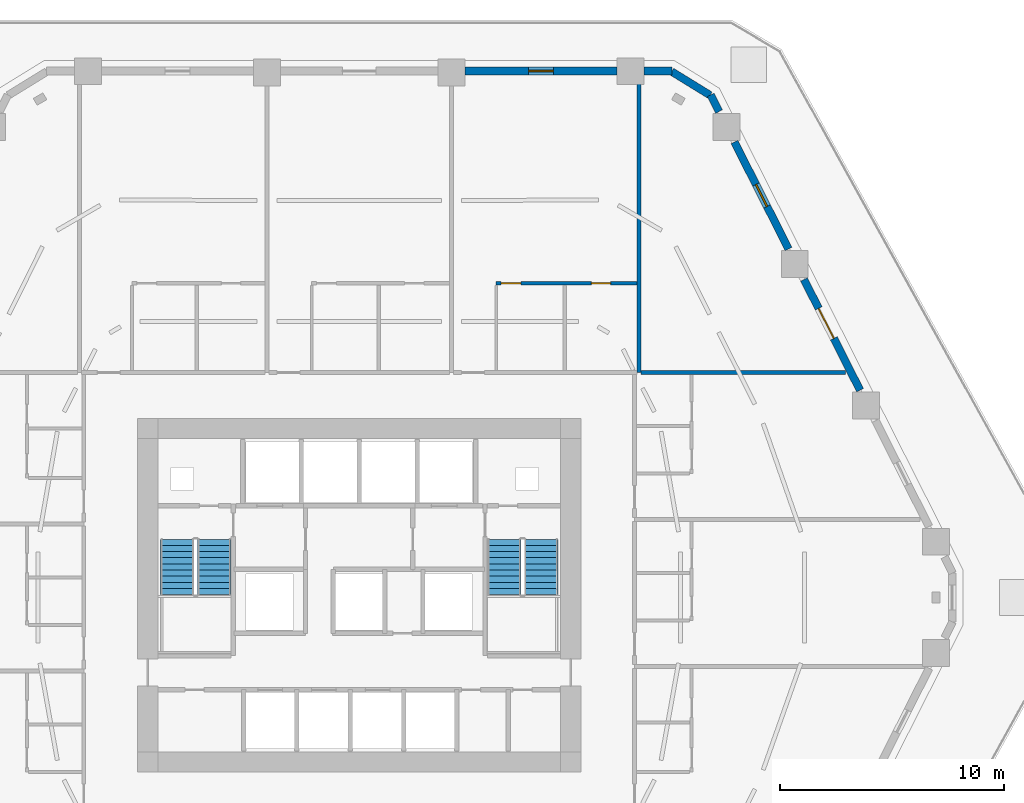
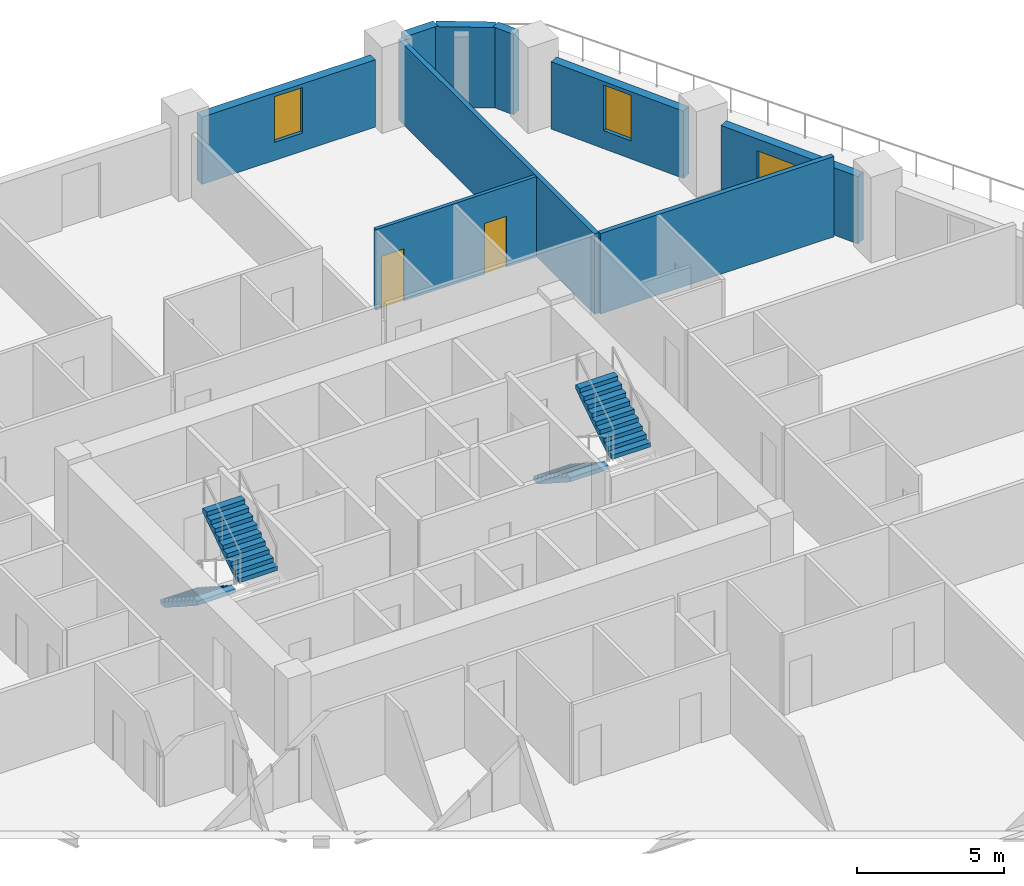
# One storey, part 7 of 10: 9 walls, 4 stair flights, 3 doors, 2 windows, 5 openings, 2 elements without a shape of their own.
"""IFC4 building model written with IfcOpenShell, lengths in metres."""

from ifc_helpers import new_model, si_unit, direction, frame, frame_2d, origin, place, context, subcontext, project, spatial, polyline, rectangle, outline, extrude, material, layer, layer_set, type_object, element, fill, aggregate, save


model = new_model("IFC4")

# Units and contexts
model_context = context("Model", 3, precision=1e-05, world=origin(), true_north=direction((0.0, 1.0)))
body_context = subcontext(model_context, "Body", "Model", "MODEL_VIEW")
ifc_project = project(units=[si_unit("LENGTHUNIT", "METRE"), si_unit("AREAUNIT", "SQUARE_METRE"), si_unit("VOLUMEUNIT", "CUBIC_METRE"), si_unit("PLANEANGLEUNIT", "RADIAN"), si_unit("MASSUNIT", "GRAM", prefix="KILO")], contexts=[model_context])

# Site, building, storey
site_placement = place(None, origin())
site = spatial("IfcSite", under=ifc_project, at=site_placement, CompositionType="ELEMENT")
building_placement = place(site_placement, origin())
building = spatial("IfcBuilding", under=site, at=building_placement, Name="Cinnabar Lancet Tower", CompositionType="ELEMENT")
storey_placement = place(building_placement, frame((0.0, 0.0, 24.89990234375)))
storey = spatial("IfcBuildingStorey", under=building, at=storey_placement, Name="L05", CompositionType="ELEMENT", Elevation=24.89990234375)

# Walls
ifc_material_1 = material(Name="Fire-rated twin-frame acoustic drywall", Category="gypsum")
ifc_layer_1 = layer(ifc_material_1, 0.179931640625)
ifc_layer_set_1 = layer_set([ifc_layer_1], Name="Fire-rated twin-frame acoustic drywall")
wall_type_1 = type_object("IfcWallType", Name="ARC-WL-PARTY-180", PredefinedType="PARTITIONING", material=ifc_layer_set_1)
wall_1_placement = place(storey_placement, frame((44.89990234375, 35.85009765625, 0.0), z_axis=(0.0, 0.0, 1.0), x_axis=(0.0, 1.0, 0.0)))
element("IfcWall", 1, at=wall_1_placement, inside=storey, type_object=wall_type_1, Name="PW-L05-NPTY-449", PredefinedType="PARTITIONING", context=body_context, shape_type="SweptSolid", body=[
    extrude(rectangle(XDim=13.294921875, YDim=0.179931640625, at=frame_2d((6.6474609375, 0.0))), origin(), (0.0, 0.0, 1.0), 3.330078125),
])
wall_2_placement = place(storey_placement, frame((44.9951171875, 35.85009765625, 0.0), z_axis=(0.0, 0.0, 1.0), x_axis=(1.0, 0.0, 0.0)))
element("IfcWall", 2, at=wall_2_placement, inside=storey, type_object=wall_type_1, Name="PW-L05-ENB", PredefinedType="PARTITIONING", context=body_context, shape_type="SweptSolid", body=[
    extrude(rectangle(XDim=9.139892578125, YDim=0.179931640625, at=frame_2d((4.56982421875, 0.0))), origin(), (0.0, 0.0, 1.0), 3.330078125),
])

# Wall, openings, doors
ifc_material_2 = material(Name="Moisture-resistant cement-board plumbing wall", Category="masonry")
ifc_layer_2 = layer(ifc_material_2, 0.139892578125)
ifc_layer_set_2 = layer_set([ifc_layer_2], Name="Moisture-resistant cement-board plumbing wall")
wall_type_2 = type_object("IfcWallType", Name="ARC-WL-WET-140", PredefinedType="PLUMBINGWALL", material=ifc_layer_set_2)
wall_3_placement = place(storey_placement, frame((38.52197265625, 39.839111328125, 0.0), z_axis=(0.0, 0.0, 1.0), x_axis=(1.0, 0.0, 0.0)))
wall_3 = element("IfcWall", 3, at=wall_3_placement, inside=storey, type_object=wall_type_2, Name="UW-L05-N03-SPL", PredefinedType="PLUMBINGWALL", context=body_context, shape_type="SweptSolid", body=[
    extrude(rectangle(XDim=6.282958984375, YDim=0.139892578125, at=frame_2d((3.1416015625, 0.0))), origin(), (0.0, 0.0, 1.0), 3.330078125),
])
opening_1_placement = place(wall_3_placement, frame((4.2470703125, 0.0, 0.0)))
opening_1 = element("IfcOpeningElement", 4, at=opening_1_placement, cuts=wall_3, Name="Opening BD-01", PredefinedType="OPENING", context=body_context, shape_type="SweptSolid", body=[
    extrude(rectangle(XDim=0.860107421875, YDim=2.10009765625, at=frame_2d((0.43017578125, 1.050048828125))), frame((0.0, 0.079833984375, 0.0), z_axis=(0.0, -1.0, 0.0), x_axis=(1.0, 0.0, 0.0)), (0.0, 0.0, 1.0), 0.159912109375),
])
opening_2_placement = place(wall_3_placement, frame((0.219970703125, 0.0, 0.0)))
opening_2 = element("IfcOpeningElement", 5, at=opening_2_placement, cuts=wall_3, Name="Opening RD-02", PredefinedType="OPENING", context=body_context, shape_type="SweptSolid", body=[
    extrude(rectangle(XDim=0.8798828125, YDim=2.14990234375, at=frame_2d((0.43994140625, 1.074951171875))), frame((0.0, 0.079833984375, 0.0), z_axis=(0.0, -1.0, 0.0), x_axis=(1.0, 0.0, 0.0)), (0.0, 0.0, 1.0), 0.159912109375),
])
ifc_material_3 = material(Name="Moisture-resistant timber bathroom door", Category="wood")
door_type_1 = type_object("IfcDoorType", Name="ARC-DR-BATH", OperationType="NOTDEFINED", PredefinedType="DOOR", material=ifc_material_3)
door_1_placement = place(opening_1_placement, origin())
door_1 = element("IfcDoor", 6, at=door_1_placement, inside=storey, type_object=door_type_1, Name="DR-L05-N03-BTH", OperationType="SINGLE_SWING_RIGHT", OverallHeight=2.10009765625, OverallWidth=0.860107421875, PredefinedType="DOOR", context=body_context, shape_type="SweptSolid", body=[
    extrude(rectangle(XDim=0.860107421875, YDim=2.10009765625, at=frame_2d((0.43017578125, 1.050048828125))), frame((0.0, 0.02490234375, 0.0), z_axis=(0.0, -1.0, 0.0), x_axis=(1.0, 0.0, 0.0)), (0.0, 0.0, 1.0), 0.050048828125),
])
fill(opening_1, door_1)
ifc_material_4 = material(Name="Engineered timber study door", Category="wood")
door_type_2 = type_object("IfcDoorType", Name="ARC-DR-STUDY", OperationType="NOTDEFINED", PredefinedType="DOOR", material=ifc_material_4)
door_2_placement = place(opening_2_placement, origin())
door_2 = element("IfcDoor", 7, at=door_2_placement, inside=storey, type_object=door_type_2, Name="DR-L05-N03-KIT", OperationType="SINGLE_SWING_LEFT", OverallHeight=2.14990234375, OverallWidth=0.8798828125, PredefinedType="DOOR", context=body_context, shape_type="SweptSolid", body=[
    extrude(rectangle(XDim=0.8798828125, YDim=2.14990234375, at=frame_2d((0.43994140625, 1.074951171875))), frame((0.0, 0.02490234375, 0.0), z_axis=(0.0, -1.0, 0.0), x_axis=(1.0, 0.0, 0.0)), (0.0, 0.0, 1.0), 0.050048828125),
])
fill(opening_2, door_2)

# Wall
ifc_material_5 = material(Name="Cinnabar red clay brick", Category="masonry")
ifc_layer_3 = layer(ifc_material_5, 0.340087890625)
ifc_layer_set_3 = layer_set([ifc_layer_3], Name="Cinnabar red clay brick")
wall_type_3 = type_object("IfcWallType", Name="ENV-WL-BRK-RED-340", PredefinedType="STANDARD", material=ifc_layer_set_3)
wall_4_placement = place(storey_placement, frame((48.080078125, 48.238037109375, 0.0), z_axis=(0.0, 0.0, 1.0), x_axis=(-0.851870104345, 0.523753114857, 0.0)))
element("IfcWall", 8, at=wall_4_placement, inside=storey, type_object=wall_type_3, Name="L05 Chamfered Corner Brick Pier 4.1", PredefinedType="STANDARD", context=body_context, shape_type="SweptSolid", body=[
    extrude(rectangle(XDim=2.017822265625, YDim=0.340087890625, at=frame_2d((1.0087890625, 0.0))), origin(), (0.0, 0.0, 1.0), 3.330078125),
])

# Wall, opening, door
wall_5_placement = place(storey_placement, frame((54.77587890625, 35.06103515625, 0.0), z_axis=(0.0, 0.0, 1.0), x_axis=(-0.451592100298, 0.892224509273, 0.0)))
wall_5 = element("IfcWall", 9, at=wall_5_placement, inside=storey, type_object=wall_type_3, Name="L05 Face 3 Masonry Bay Wall 3", PredefinedType="STANDARD", context=body_context, shape_type="SweptSolid", body=[
    extrude(rectangle(XDim=5.546875, YDim=0.340087890625, at=frame_2d((2.7734375, 0.0))), origin(), (0.0, 0.0, 1.0), 2.787109375),
])
opening_3_placement = place(wall_5_placement, frame((2.591064453125, 0.0, 0.0)))
opening_3 = element("IfcOpeningElement", 10, at=opening_3_placement, cuts=wall_5, Name="Opening TD-02", PredefinedType="OPENING", context=body_context, shape_type="SweptSolid", body=[
    extrude(rectangle(XDim=1.5, YDim=2.300048828125, at=frame_2d((0.75, 1.14990234375))), frame((0.0, 0.179931640625, 0.0), z_axis=(0.0, -1.0, 0.0), x_axis=(1.0, 0.0, 0.0)), (0.0, 0.0, 1.0), 0.360107421875),
])
ifc_material_6 = material(Name="Thermally broken low-E glazed sky-terrace double door", Category="wood")
door_type_3 = type_object("IfcDoorType", Name="ARC-DR-STER", OperationType="NOTDEFINED", PredefinedType="DOOR", material=ifc_material_6)
door_3_placement = place(opening_3_placement, origin())
door_3 = element("IfcDoor", 11, at=door_3_placement, inside=storey, type_object=door_type_3, Name="L05 Face 3 Glazed Terrace Door", OperationType="SINGLE_SWING_RIGHT", OverallHeight=2.300048828125, OverallWidth=1.5, PredefinedType="DOOR", context=body_context, shape_type="SweptSolid", body=[
    extrude(rectangle(XDim=1.5, YDim=2.300048828125, at=frame_2d((0.75, 1.14990234375))), frame((0.0, 0.02490234375, 0.0), z_axis=(0.0, -1.0, 0.0), x_axis=(1.0, 0.0, 0.0)), (0.0, 0.0, 1.0), 0.050048828125),
])
fill(opening_3, door_3)

# Wall, opening, window
wall_6_placement = place(storey_placement, frame((51.5830078125, 41.3720703125, 0.0), z_axis=(0.0, 0.0, 1.0), x_axis=(-0.451697561555, 0.892171123095, 0.0)))
wall_6 = element("IfcWall", 12, at=wall_6_placement, inside=storey, type_object=wall_type_3, Name="L05 Face 3 Masonry Bay Wall 4", PredefinedType="STANDARD", context=body_context, shape_type="SweptSolid", body=[
    extrude(rectangle(XDim=5.350830078125, YDim=0.340087890625, at=frame_2d((2.67529296875, 0.0))), origin(), (0.0, 0.0, 1.0), 2.787109375),
])
opening_4_placement = place(wall_6_placement, frame((2.125, 0.0, 0.75)))
opening_4 = element("IfcOpeningElement", 13, at=opening_4_placement, cuts=wall_6, Name="Opening WN-04", PredefinedType="OPENING", context=body_context, shape_type="SweptSolid", body=[
    extrude(rectangle(XDim=1.10009765625, YDim=1.886962890625, at=frame_2d((0.550048828125, 0.943359375))), frame((0.0, 0.179931640625, 0.0), z_axis=(0.0, -1.0, 0.0), x_axis=(1.0, 0.0, 0.0)), (0.0, 0.0, 1.0), 0.360107421875),
])
ifc_material_7 = material(Name="Thermally broken bronze-anodized aluminium tall lancet window", Category="aluminium")
window_type = type_object("IfcWindowType", Name="ENV-WN-LANCET-1100", PartitioningType="SINGLE_PANEL", PredefinedType="WINDOW", material=ifc_material_7)
window_1_placement = place(opening_4_placement, origin())
window_1 = element("IfcWindow", 14, at=window_1_placement, inside=storey, type_object=window_type, Name="L05 Face 3 Gothic Lancet Window 4", OverallHeight=1.886962890625, OverallWidth=1.10009765625, PartitioningType="SINGLE_PANEL", PredefinedType="WINDOW", context=body_context, shape_type="SweptSolid", body=[
    extrude(rectangle(XDim=1.10009765625, YDim=1.886962890625, at=frame_2d((0.550048828125, 0.943359375))), frame((0.0, 0.030029296875, 0.0), z_axis=(0.0, -1.0, 0.0), x_axis=(1.0, 0.0, 0.0)), (0.0, 0.0, 1.0), 0.06005859375),
])
fill(opening_4, window_1)

# Walls
wall_7_placement = place(storey_placement, frame((48.47802734375, 47.508056640625, 0.0), z_axis=(0.0, 0.0, 1.0), x_axis=(-0.451995771866, 0.892020079491, 0.0)))
element("IfcWall", 15, at=wall_7_placement, inside=storey, type_object=wall_type_3, Name="L05 Face 3 Masonry Bay Wall 5", PredefinedType="STANDARD", context=body_context, shape_type="SweptSolid", body=[
    extrude(rectangle(XDim=0.836181640625, YDim=0.340087890625, at=frame_2d((0.41796875, 0.0))), origin(), (0.0, 0.0, 1.0), 3.330078125),
])
wall_8_placement = place(storey_placement, frame((46.365966796875, 49.320068359375, 0.0), z_axis=(0.0, 0.0, 1.0), x_axis=(-1.0, 0.0, 0.0)))
element("IfcWall", 16, at=wall_8_placement, inside=storey, type_object=wall_type_3, Name="L05 Face 4 Masonry Bay Wall 1", PredefinedType="STANDARD", context=body_context, shape_type="SweptSolid", body=[
    extrude(rectangle(XDim=1.244873046875, YDim=0.340087890625, at=frame_2d((0.62255859375, 0.0))), origin(), (0.0, 0.0, 1.0), 3.330078125),
])

# Wall, opening, window
wall_9_placement = place(storey_placement, frame((43.9130859375, 49.320068359375, 0.0), z_axis=(0.0, 0.0, 1.0), x_axis=(-1.0, 0.0, 0.0)))
wall_9 = element("IfcWall", 17, at=wall_9_placement, inside=storey, type_object=wall_type_3, Name="L05 Face 4 Masonry Bay Wall 2", PredefinedType="STANDARD", context=body_context, shape_type="SweptSolid", body=[
    extrude(rectangle(XDim=6.787109375, YDim=0.340087890625, at=frame_2d((3.3935546875, 0.0))), origin(), (0.0, 0.0, 1.0), 2.787109375),
])
opening_5_placement = place(wall_9_placement, frame((2.843017578125, 0.0, 0.75)))
opening_5 = element("IfcOpeningElement", 18, at=opening_5_placement, cuts=wall_9, Name="Opening WN-04", PredefinedType="OPENING", context=body_context, shape_type="SweptSolid", body=[
    extrude(rectangle(XDim=1.10009765625, YDim=1.886962890625, at=frame_2d((0.550048828125, 0.943359375))), frame((0.0, 0.179931640625, 0.0), z_axis=(0.0, -1.0, 0.0), x_axis=(1.0, 0.0, 0.0)), (0.0, 0.0, 1.0), 0.360107421875),
])
window_2_placement = place(opening_5_placement, origin())
window_2 = element("IfcWindow", 19, at=window_2_placement, inside=storey, type_object=window_type, Name="L05 Face 4 Gothic Lancet Window 2", OverallHeight=1.886962890625, OverallWidth=1.10009765625, PartitioningType="SINGLE_PANEL", PredefinedType="WINDOW", context=body_context, shape_type="SweptSolid", body=[
    extrude(rectangle(XDim=1.10009765625, YDim=1.886962890625, at=frame_2d((0.550048828125, 0.943359375))), frame((0.0, 0.030029296875, 0.0), z_axis=(0.0, -1.0, 0.0), x_axis=(1.0, 0.0, 0.0)), (0.0, 0.0, 1.0), 0.06005859375),
])
fill(opening_5, window_2)

# Stair, stair flights
ifc_material_8 = material(Name="Concrete C40/50", Category="concrete")
stair_type = type_object("IfcStairType", Name="ST-CORE", PredefinedType="HALF_TURN_STAIR", material=ifc_material_8)
stair_1_placement = place(storey_placement, origin())
stair_1 = element("IfcStair", 20, at=stair_1_placement, inside=storey, type_object=stair_type, Name="L05 ST-1", PredefinedType="HALF_TURN_STAIR")
ifc_material_9 = material(Name="Concrete C40/50", Category="concrete")
stair_flight_type = type_object("IfcStairFlightType", Name="FLIGHT-CORE", PredefinedType="STRAIGHT", material=ifc_material_9)
stair_flight_1_placement = place(storey_placement, frame((24.27490234375, 28.39990234375, 0.0), z_axis=(0.0, 0.0, 1.0), x_axis=(0.0, -1.0, 0.0)))
stair_flight_1 = element("IfcStairFlight", 21, at=stair_flight_1_placement, type_object=stair_flight_type, Name="ST-1 flight 1", NumberOfRisers=10, NumberOfTreads=9, PredefinedType="STRAIGHT", RiserHeight=0.1775, TreadLength=0.275, context=body_context, shape_type="SweptSolid", body=[
    extrude(outline(polyline([(0.0, 0.0), (0.0, 0.177490234375), (0.27490234375, 0.177490234375), (0.27490234375, 0.35498046875), (0.550048828125, 0.35498046875), (0.550048828125, 0.532470703125), (0.824951171875, 0.532470703125), (0.824951171875, 0.7099609375), (1.10009765625, 0.7099609375), (1.10009765625, 0.887451171875), (1.375, 0.887451171875), (1.375, 1.06494140625), (1.64990234375, 1.06494140625), (1.64990234375, 1.242431640625), (1.925048828125, 1.242431640625), (1.925048828125, 1.419921875), (2.199951171875, 1.419921875), (2.199951171875, 1.597412109375), (2.47509765625, 1.597412109375), (2.47509765625, 1.77490234375), (2.47509765625, 1.419189453125), (0.2763671875, 0.0), (0.0, 0.0)])), frame((0.0, 0.75, 0.0), z_axis=(0.0, -1.0, 0.0), x_axis=(1.0, 0.0, 0.0)), (0.0, 0.0, 1.0), 1.5),
])
stair_flight_2_placement = place(storey_placement, frame((25.925048828125, 25.925048828125, 1.775146484375), z_axis=(0.0, 0.0, 1.0), x_axis=(0.0, 1.0, 0.0)))
stair_flight_2 = element("IfcStairFlight", 22, at=stair_flight_2_placement, type_object=stair_flight_type, Name="ST-1 flight 2", NumberOfRisers=10, NumberOfTreads=9, PredefinedType="STRAIGHT", RiserHeight=0.1775, TreadLength=0.275, context=body_context, shape_type="SweptSolid", body=[
    extrude(outline(polyline([(0.0, 0.0), (0.0, 0.177490234375), (0.27490234375, 0.177490234375), (0.27490234375, 0.35498046875), (0.550048828125, 0.35498046875), (0.550048828125, 0.532470703125), (0.824951171875, 0.532470703125), (0.824951171875, 0.7099609375), (1.10009765625, 0.7099609375), (1.10009765625, 0.887451171875), (1.375, 0.887451171875), (1.375, 1.06494140625), (1.64990234375, 1.06494140625), (1.64990234375, 1.242431640625), (1.925048828125, 1.242431640625), (1.925048828125, 1.419921875), (2.199951171875, 1.419921875), (2.199951171875, 1.597412109375), (2.47509765625, 1.597412109375), (2.47509765625, 1.77490234375), (2.47509765625, 1.419189453125), (0.2763671875, 0.0), (0.0, 0.0)])), frame((0.0, 0.75, 0.0), z_axis=(0.0, -1.0, 0.0), x_axis=(1.0, 0.0, 0.0)), (0.0, 0.0, 1.0), 1.5),
])
aggregate(stair_1, [stair_flight_1, stair_flight_2])

stair_2_placement = place(storey_placement, origin())
stair_2 = element("IfcStair", 23, at=stair_2_placement, inside=storey, type_object=stair_type, Name="L05 ST-2", PredefinedType="HALF_TURN_STAIR")
stair_flight_3_placement = place(storey_placement, frame((38.875, 28.39990234375, 0.0), z_axis=(0.0, 0.0, 1.0), x_axis=(0.0, -1.0, 0.0)))
stair_flight_3 = element("IfcStairFlight", 24, at=stair_flight_3_placement, type_object=stair_flight_type, Name="ST-2 flight 1", NumberOfRisers=10, NumberOfTreads=9, PredefinedType="STRAIGHT", RiserHeight=0.1775, TreadLength=0.275, context=body_context, shape_type="SweptSolid", body=[
    extrude(outline(polyline([(0.0, 0.0), (0.0, 0.177490234375), (0.27490234375, 0.177490234375), (0.27490234375, 0.35498046875), (0.550048828125, 0.35498046875), (0.550048828125, 0.532470703125), (0.824951171875, 0.532470703125), (0.824951171875, 0.7099609375), (1.10009765625, 0.7099609375), (1.10009765625, 0.887451171875), (1.375, 0.887451171875), (1.375, 1.06494140625), (1.64990234375, 1.06494140625), (1.64990234375, 1.242431640625), (1.925048828125, 1.242431640625), (1.925048828125, 1.419921875), (2.199951171875, 1.419921875), (2.199951171875, 1.597412109375), (2.47509765625, 1.597412109375), (2.47509765625, 1.77490234375), (2.47509765625, 1.419189453125), (0.2763671875, 0.0), (0.0, 0.0)])), frame((0.0, 0.75, 0.0), z_axis=(0.0, -1.0, 0.0), x_axis=(1.0, 0.0, 0.0)), (0.0, 0.0, 1.0), 1.5),
])
stair_flight_4_placement = place(storey_placement, frame((40.52490234375, 25.925048828125, 1.775146484375), z_axis=(0.0, 0.0, 1.0), x_axis=(0.0, 1.0, 0.0)))
stair_flight_4 = element("IfcStairFlight", 25, at=stair_flight_4_placement, type_object=stair_flight_type, Name="ST-2 flight 2", NumberOfRisers=10, NumberOfTreads=9, PredefinedType="STRAIGHT", RiserHeight=0.1775, TreadLength=0.275, context=body_context, shape_type="SweptSolid", body=[
    extrude(outline(polyline([(0.0, 0.0), (0.0, 0.177490234375), (0.27490234375, 0.177490234375), (0.27490234375, 0.35498046875), (0.550048828125, 0.35498046875), (0.550048828125, 0.532470703125), (0.824951171875, 0.532470703125), (0.824951171875, 0.7099609375), (1.10009765625, 0.7099609375), (1.10009765625, 0.887451171875), (1.375, 0.887451171875), (1.375, 1.06494140625), (1.64990234375, 1.06494140625), (1.64990234375, 1.242431640625), (1.925048828125, 1.242431640625), (1.925048828125, 1.419921875), (2.199951171875, 1.419921875), (2.199951171875, 1.597412109375), (2.47509765625, 1.597412109375), (2.47509765625, 1.77490234375), (2.47509765625, 1.419189453125), (0.2763671875, 0.0), (0.0, 0.0)])), frame((0.0, 0.75, 0.0), z_axis=(0.0, -1.0, 0.0), x_axis=(1.0, 0.0, 0.0)), (0.0, 0.0, 1.0), 1.5),
])
aggregate(stair_2, [stair_flight_3, stair_flight_4])

save(model, "model.ifc")
